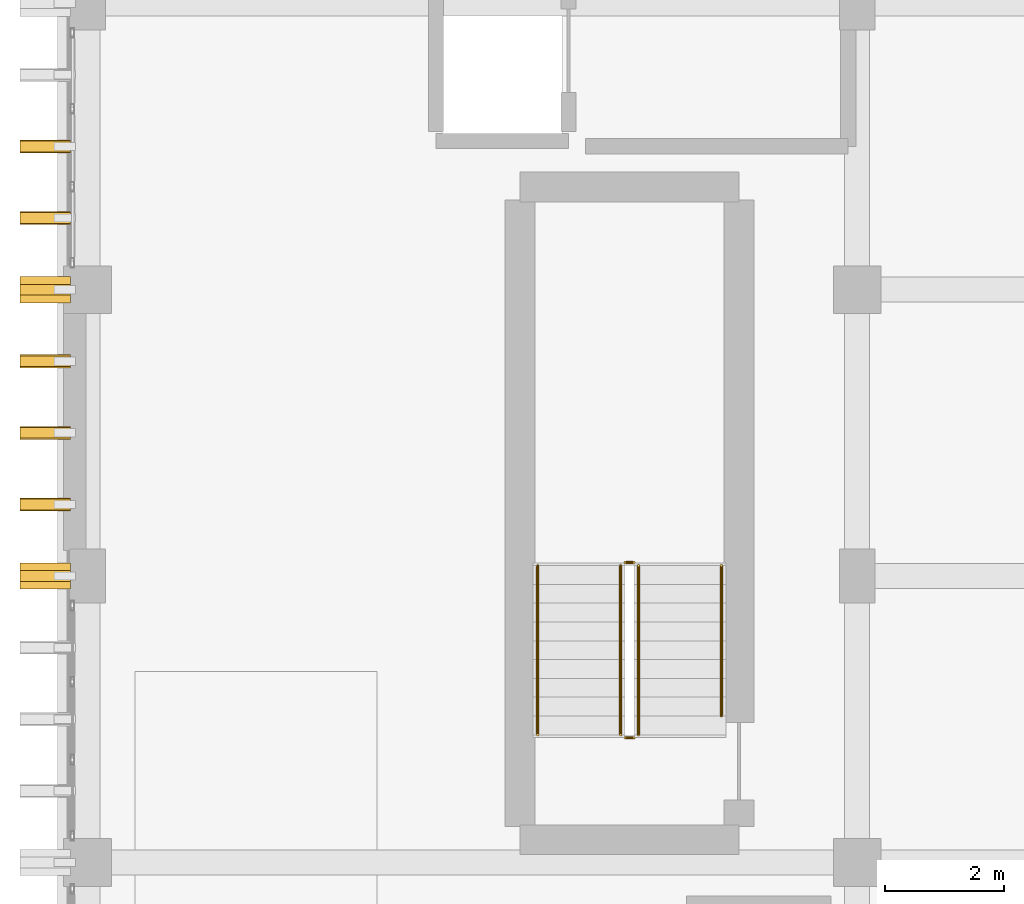
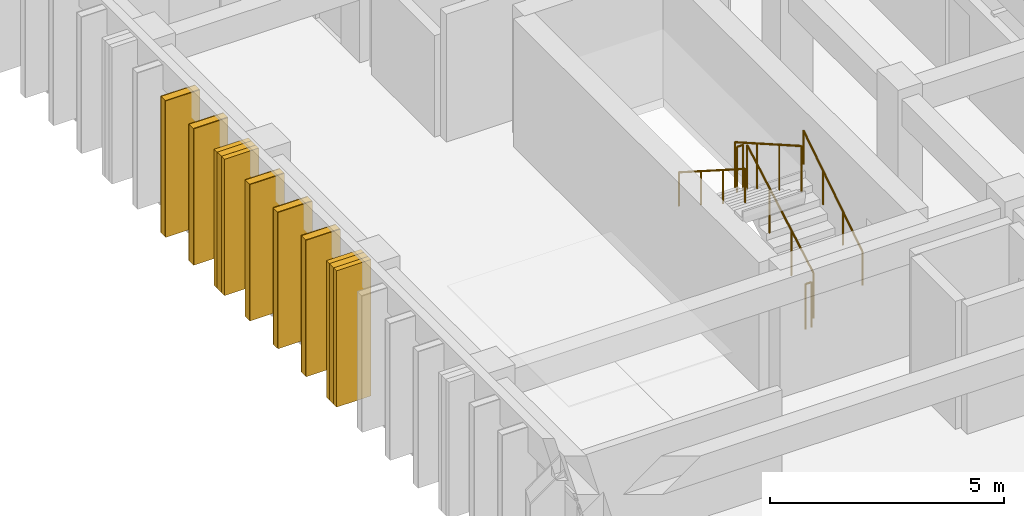
# One storey, part 78 of 82: 7 coverings, 7 shading devices, 6 railings.
"""IFC4 building model written with IfcOpenShell, lengths in metres."""

from ifc_helpers import new_model, si_unit, direction, frame, origin, origin_2d, place, context, subcontext, project, spatial, rectangle, circle, extrude, material, layer, layer_set, type_object, element, save


model = new_model("IFC4")

# Units and contexts
model_context = context("Model", 3, precision=1e-05, world=origin(), true_north=direction((0.0, 1.0)))
body_context = subcontext(model_context, "Body", "Model", "MODEL_VIEW")
ifc_project = project(units=[si_unit("LENGTHUNIT", "METRE"), si_unit("AREAUNIT", "SQUARE_METRE"), si_unit("VOLUMEUNIT", "CUBIC_METRE"), si_unit("PLANEANGLEUNIT", "RADIAN"), si_unit("MASSUNIT", "GRAM", prefix="KILO")], contexts=[model_context])

# Site, building, storey
site_placement = place(None, origin())
site = spatial("IfcSite", under=ifc_project, at=site_placement, CompositionType="ELEMENT")
building_placement = place(site_placement, origin())
building = spatial("IfcBuilding", under=site, at=building_placement, Name="Nakhvara Creek Congress Hotel", CompositionType="ELEMENT")
storey_placement = place(building_placement, frame((0.0, 0.0, 21.0)))
storey = spatial("IfcBuildingStorey", under=building, at=storey_placement, Name="L04", CompositionType="ELEMENT", Elevation=21.0)

# Coverings
ifc_material_1 = material(Name="Honed pale Omani limestone architectural cladding", Category="masonry")
ifc_layer = layer(ifc_material_1, 0.219970703125)
ifc_layer_set = layer_set([ifc_layer], Name="Honed pale Omani limestone architectural cladding")
covering_type = type_object("IfcCoveringType", Name="COV-FIN-850", PredefinedType="CLADDING", material=ifc_layer_set)
covering_1_placement = place(storey_placement, frame((148.7451171875, 81.60009765625, 0.0), z_axis=(0.0, 0.0, 1.0), x_axis=(0.0, 1.0, 0.0)))
element("IfcCovering", 1, at=covering_1_placement, inside=storey, type_object=covering_type, Name="Pale Limestone Fin Cladding CF01-1301", PredefinedType="CLADDING", context=body_context, shape_type="SweptSolid", body=[
    extrude(rectangle(XDim=0.43994140625, YDim=0.85009765625, at=origin_2d()), origin(), (0.0, 0.0, 1.0), 3.56005859375),
])
for number, where, z_axis, x_axis, name in (
    (2, (148.7451171875, 82.800048828125, 0.0), (0.0, 0.0, 1.0), (0.0, 1.0, 0.0), "Pale Limestone Fin Cladding CF01-1303"),
    (3, (148.7451171875, 84.0, 0.0), (0.0, 0.0, 1.0), (0.0, 1.0, 0.0), "Pale Limestone Fin Cladding CF01-1305"),
    (4, (148.7451171875, 85.199951171875, 0.0), (0.0, 0.0, 1.0), (0.0, 1.0, 0.0), "Pale Limestone Fin Cladding CF01-1307"),
):
    element("IfcCovering", number, at=place(storey_placement, frame(where, z_axis=z_axis, x_axis=x_axis)), inside=storey, type_object=covering_type, Name=name, PredefinedType="CLADDING", context=body_context, shape_type="SweptSolid", body=[
        extrude(rectangle(XDim=0.219970703125, YDim=0.85009765625, at=origin_2d()), origin(), (0.0, 0.0, 1.0), 3.56005859375),
    ])
covering_2_placement = place(storey_placement, frame((148.7451171875, 86.39990234375, 0.0), z_axis=(0.0, 0.0, 1.0), x_axis=(0.0, 1.0, 0.0)))
element("IfcCovering", 5, at=covering_2_placement, inside=storey, type_object=covering_type, Name="Pale Limestone Fin Cladding CF01-1309", PredefinedType="CLADDING", context=body_context, shape_type="SweptSolid", body=[
    extrude(rectangle(XDim=0.43994140625, YDim=0.85009765625, at=origin_2d()), origin(), (0.0, 0.0, 1.0), 3.56005859375),
])
for number, where, z_axis, x_axis, name in (
    (6, (148.7451171875, 87.60009765625, 0.0), (0.0, 0.0, 1.0), (0.0, 1.0, 0.0), "Pale Limestone Fin Cladding CF01-1311"),
    (7, (148.7451171875, 88.800048828125, 0.0), (0.0, 0.0, 1.0), (0.0, 1.0, 0.0), "Pale Limestone Fin Cladding CF01-1312"),
):
    element("IfcCovering", number, at=place(storey_placement, frame(where, z_axis=z_axis, x_axis=x_axis)), inside=storey, type_object=covering_type, Name=name, PredefinedType="CLADDING", context=body_context, shape_type="SweptSolid", body=[
        extrude(rectangle(XDim=0.219970703125, YDim=0.85009765625, at=origin_2d()), origin(), (0.0, 0.0, 1.0), 3.56005859375),
    ])

# Railings
ifc_material_2 = material(Name="Brushed stainless steel 316L", Category="steel")
railing_type_1 = type_object("IfcRailingType", Name="RL-GUARD-1200", PredefinedType="GUARDRAIL", material=ifc_material_2)
railing_1_placement = place(storey_placement, frame((158.68505859375, 78.93994140625, 0.179931640625)))
element("IfcRailing", 8, at=railing_1_placement, inside=storey, type_object=railing_type_1, Name="L04 ST01 stair guard 1", PredefinedType="GUARDRAIL", context=body_context, shape_type="SweptSolid", body=[
    extrude(circle(Radius=0.02392578125, at=origin_2d()), frame((0.0, 0.0126953125, 1.18310546875), z_axis=(0.0, 0.868224736699, 0.496171146464), x_axis=(-1.0, 0.0, 0.0)), (0.0, 0.0, 1.0), 3.23583984375),
    extrude(circle(Radius=0.02099609375, at=origin_2d()), origin(), (0.0, 0.0, 1.0), 1.1806640625),
    extrude(circle(Radius=0.02099609375, at=origin_2d()), frame((0.0, 0.945068359375, 0.5400390625)), (0.0, 0.0, 1.0), 1.1806640625),
    extrude(circle(Radius=0.02099609375, at=origin_2d()), frame((0.0, 1.889892578125, 1.080078125)), (0.0, 0.0, 1.0), 1.1806640625),
    extrude(circle(Radius=0.02099609375, at=origin_2d()), frame((0.0, 2.8349609375, 1.6201171875)), (0.0, 0.0, 1.0), 1.1806640625),
])
railing_2_placement = place(storey_placement, frame((158.610107421875, 81.824951171875, 1.800048828125)))
element("IfcRailing", 9, at=railing_2_placement, inside=storey, type_object=railing_type_1, Name="L04 ST01 stair guard 2", PredefinedType="GUARDRAIL", context=body_context, shape_type="SweptSolid", body=[
    extrude(circle(Radius=0.02392578125, at=origin_2d()), frame((-0.0146484375, 0.0, 1.17578125), z_axis=(-1.0, 0.0, 0.0), x_axis=(0.0, -1.0, 0.0)), (0.0, 0.0, 1.0), 0.120849609375),
    extrude(circle(Radius=0.02099609375, at=origin_2d()), origin(), (0.0, 0.0, 1.0), 1.1806640625),
    extrude(circle(Radius=0.02099609375, at=origin_2d()), frame((-0.150146484375, 0.0, 0.0)), (0.0, 0.0, 1.0), 1.1806640625),
])
railing_3_placement = place(storey_placement, frame((158.385009765625, 81.77490234375, 1.97998046875)))
element("IfcRailing", 10, at=railing_3_placement, inside=storey, type_object=railing_type_1, Name="L04 ST01 stair guard 3", PredefinedType="GUARDRAIL", context=body_context, shape_type="SweptSolid", body=[
    extrude(circle(Radius=0.02392578125, at=origin_2d()), frame((0.0, -0.0126953125, 1.18310546875), z_axis=(0.0, -0.868224736699, 0.496171146464), x_axis=(1.0, 0.0, 0.0)), (0.0, 0.0, 1.0), 3.23583984375),
    extrude(circle(Radius=0.02099609375, at=origin_2d()), origin(), (0.0, 0.0, 1.0), 1.1806640625),
    extrude(circle(Radius=0.02099609375, at=origin_2d()), frame((0.0, -0.945068359375, 0.5400390625)), (0.0, 0.0, 1.0), 1.1806640625),
    extrude(circle(Radius=0.02099609375, at=origin_2d()), frame((0.0, -1.889892578125, 1.080078125)), (0.0, 0.0, 1.0), 1.1806640625),
    extrude(circle(Radius=0.02099609375, at=origin_2d()), frame((0.0, -2.8349609375, 1.6201171875)), (0.0, 0.0, 1.0), 1.1806640625),
])
railing_4_placement = place(storey_placement, frame((158.610107421875, 78.889892578125, 0.0)))
element("IfcRailing", 11, at=railing_4_placement, inside=storey, type_object=railing_type_1, Name="L04 ST01 stair guard 4", PredefinedType="GUARDRAIL", context=body_context, shape_type="SweptSolid", body=[
    extrude(circle(Radius=0.02392578125, at=origin_2d()), frame((-0.0146484375, 0.0, 1.17578125), z_axis=(-1.0, 0.0, 0.0), x_axis=(0.0, -1.0, 0.0)), (0.0, 0.0, 1.0), 0.120849609375),
    extrude(circle(Radius=0.02099609375, at=origin_2d()), origin(), (0.0, 0.0, 1.0), 1.1806640625),
    extrude(circle(Radius=0.02099609375, at=origin_2d()), frame((-0.150146484375, 0.0, 0.0)), (0.0, 0.0, 1.0), 1.1806640625),
])
railing_type_2 = type_object("IfcRailingType", Name="RL-HAND-900", PredefinedType="HANDRAIL", material=ifc_material_2)
railing_5_placement = place(storey_placement, frame((160.074951171875, 79.2548828125, 0.360107421875)))
element("IfcRailing", 12, at=railing_5_placement, inside=storey, type_object=railing_type_2, Name="L04 ST01 stair handrail 1", PredefinedType="HANDRAIL", context=body_context, shape_type="SweptSolid", body=[
    extrude(circle(Radius=0.02392578125, at=origin_2d()), frame((0.0, 0.012451171875, 0.8837890625), z_axis=(0.0, 0.839530876525, 0.54331197977), x_axis=(-1.0, 0.0, 0.0)), (0.0, 0.0, 1.0), 2.972412109375),
    extrude(circle(Radius=0.02099609375, at=origin_2d()), origin(), (0.0, 0.0, 1.0), 0.880615234375),
    extrude(circle(Radius=0.02099609375, at=origin_2d()), frame((0.0, 0.840087890625, 0.543701171875)), (0.0, 0.0, 1.0), 0.880615234375),
    extrude(circle(Radius=0.02099609375, at=origin_2d()), frame((0.0, 1.679931640625, 1.087158203125)), (0.0, 0.0, 1.0), 0.880615234375),
    extrude(circle(Radius=0.02099609375, at=origin_2d()), frame((0.0, 2.52001953125, 1.630859375)), (0.0, 0.0, 1.0), 0.880615234375),
])
railing_6_placement = place(storey_placement, frame((156.9951171875, 81.77490234375, 1.97998046875)))
element("IfcRailing", 13, at=railing_6_placement, inside=storey, type_object=railing_type_2, Name="L04 ST01 stair handrail 2", PredefinedType="HANDRAIL", context=body_context, shape_type="SweptSolid", body=[
    extrude(circle(Radius=0.02392578125, at=origin_2d()), frame((0.0, -0.012451171875, 0.8837890625), z_axis=(0.0, -0.842721868308, 0.538349192138), x_axis=(1.0, 0.0, 0.0)), (0.0, 0.0, 1.0), 3.334716796875),
    extrude(circle(Radius=0.02099609375, at=origin_2d()), origin(), (0.0, 0.0, 1.0), 0.880615234375),
    extrude(circle(Radius=0.02099609375, at=origin_2d()), frame((0.0, -0.945068359375, 0.603759765625)), (0.0, 0.0, 1.0), 0.880615234375),
    extrude(circle(Radius=0.02099609375, at=origin_2d()), frame((0.0, -1.889892578125, 1.207275390625)), (0.0, 0.0, 1.0), 0.880615234375),
    extrude(circle(Radius=0.02099609375, at=origin_2d()), frame((0.0, -2.8349609375, 1.81103515625)), (0.0, 0.0, 1.0), 0.880615234375),
])

# Shading devices
ifc_material_3 = material(Name="Honed pale Omani limestone cladding on stainless steel spine", Category="masonry")
shading_device_type = type_object("IfcShadingDeviceType", Name="SHD-FIN-850X3600", PredefinedType="USERDEFINED", material=ifc_material_3)
for number, where, z_axis, x_axis, name in (
    (14, (148.7451171875, 81.60009765625, 0.0), (0.0, 0.0, 1.0), (0.0, 1.0, 0.0), "Limestone Solar Fin FN01-1166"),
    (15, (148.7451171875, 82.800048828125, 0.0), (0.0, 0.0, 1.0), (0.0, 1.0, 0.0), "Limestone Solar Fin FN01-1168"),
    (16, (148.7451171875, 84.0, 0.0), (0.0, 0.0, 1.0), (0.0, 1.0, 0.0), "Limestone Solar Fin FN01-1170"),
    (17, (148.7451171875, 85.199951171875, 0.0), (0.0, 0.0, 1.0), (0.0, 1.0, 0.0), "Limestone Solar Fin FN01-1172"),
    (18, (148.7451171875, 86.39990234375, 0.0), (0.0, 0.0, 1.0), (0.0, 1.0, 0.0), "Limestone Solar Fin FN01-1174"),
    (19, (148.7451171875, 87.60009765625, 0.0), (0.0, 0.0, 1.0), (0.0, 1.0, 0.0), "Limestone Solar Fin FN01-1176"),
    (20, (148.7451171875, 88.800048828125, 0.0), (0.0, 0.0, 1.0), (0.0, 1.0, 0.0), "Limestone Solar Fin FN01-1177"),
):
    element("IfcShadingDevice", number, at=place(storey_placement, frame(where, z_axis=z_axis, x_axis=x_axis)), inside=storey, type_object=shading_device_type, Name=name, ObjectType="FIN", PredefinedType="USERDEFINED", context=body_context, shape_type="SweptSolid", body=[
        extrude(rectangle(XDim=0.179931640625, YDim=0.85009765625, at=origin_2d()), origin(), (0.0, 0.0, 1.0), 3.56005859375),
    ])

save(model, "model.ifc")
